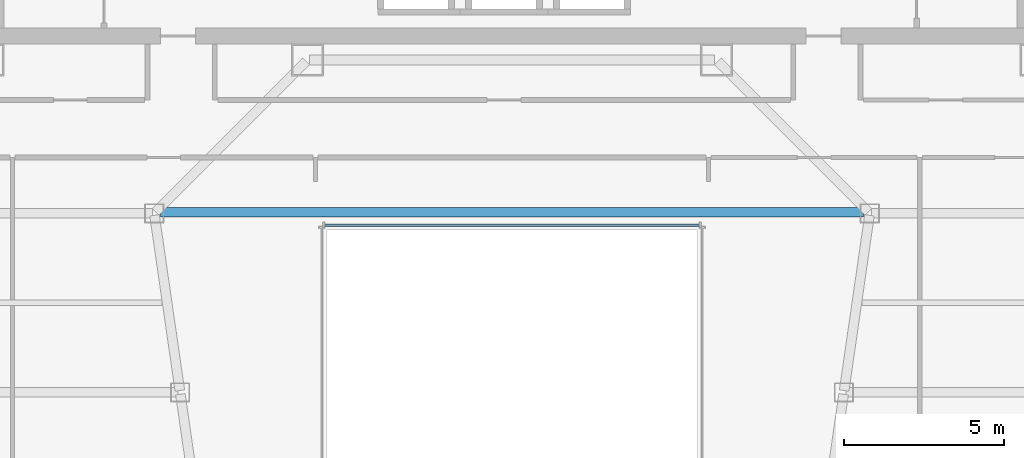
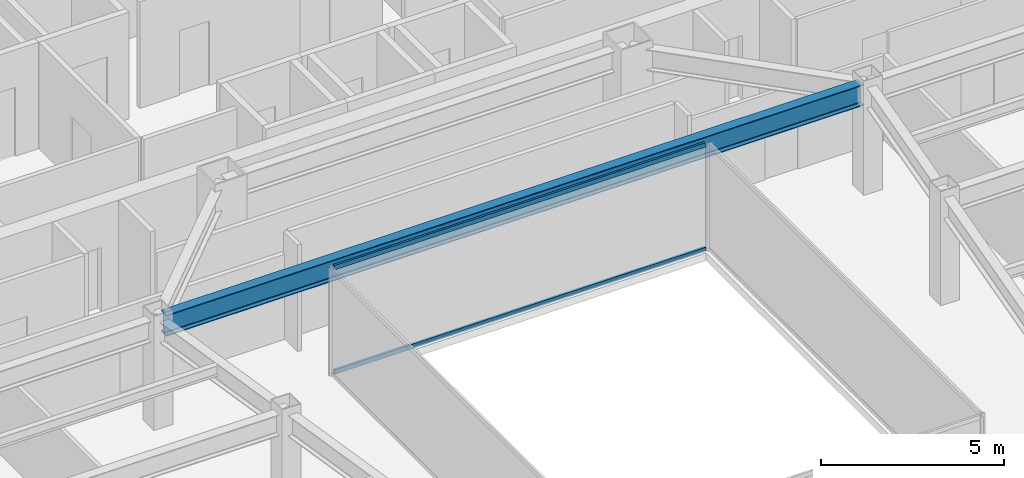
# One storey, part 12 of 36: 2 members, 1 beam, 1 element without a shape of its own.
"""IFC4 building model written with IfcOpenShell, lengths in metres."""

from ifc_helpers import new_model, si_unit, direction, frame, origin, origin_2d, place, context, subcontext, project, spatial, hollow_rectangle, i_section, extrude, material, material_profile, profile_set, type_object, element, aggregate, save


model = new_model("IFC4")

# Units and contexts
model_context = context("Model", 3, precision=1e-05, world=origin(), true_north=direction((0.0, 1.0)))
body_context = subcontext(model_context, "Body", "Model", "MODEL_VIEW")
ifc_project = project(units=[si_unit("LENGTHUNIT", "METRE"), si_unit("AREAUNIT", "SQUARE_METRE"), si_unit("VOLUMEUNIT", "CUBIC_METRE"), si_unit("PLANEANGLEUNIT", "RADIAN"), si_unit("MASSUNIT", "GRAM", prefix="KILO")], contexts=[model_context])

# Site, building, storey
site_placement = place(None, origin())
site = spatial("IfcSite", under=ifc_project, at=site_placement, CompositionType="ELEMENT")
building_placement = place(site_placement, origin())
building = spatial("IfcBuilding", under=site, at=building_placement, Name="Saevonmaru Cultural Tower", CompositionType="ELEMENT")
storey_placement = place(building_placement, frame((0.0, 0.0, 152.39990234375)))
storey = spatial("IfcBuildingStorey", under=building, at=storey_placement, Name="L33", CompositionType="ELEMENT", Elevation=152.39990234375)

# Beam
ifc_material_1 = material(Name="Steel SM355", Category="steel")
ifc_material_profile_1 = material_profile(ifc_material_1, i_section(OverallWidth=0.300048828125, OverallDepth=0.699951171875, WebThickness=0.012939453125, FlangeThickness=0.02392578125, FilletRadius=0.02587890625, at=origin_2d()), Name="H-700x300x13x24")
ifc_profile_set_1 = profile_set([ifc_material_profile_1], Name="Steel SM355")
beam_type = type_object("IfcBeamType", Name="BM-G-H700", PredefinedType="BEAM", material=ifc_profile_set_1)
beam_placement = place(storey_placement, frame((19.005859375, 37.639892578125, 3.2001953125), z_axis=(1.0, 0.0, 0.0), x_axis=(0.0, 1.0, 0.0)))
element("IfcBeam", 1, at=beam_placement, inside=storey, type_object=beam_type, Name="L33 Central Link Girder", PredefinedType="BEAM", context=body_context, shape_type="SweptSolid", body=[
    extrude(i_section(OverallWidth=0.300048828125, OverallDepth=0.699951171875, WebThickness=0.012939453125, FlangeThickness=0.02392578125, FilletRadius=0.02587890625, at=origin_2d()), origin(), (0.0, 0.0, 1.0), 21.98828125),
])

# Curtain wall, members
ifc_material_2 = material(Name="Satin Bronze Anodised Aluminium", Category="aluminium")
curtain_wall_type = type_object("IfcCurtainWallType", Name="CW-ATR-GLZ", PredefinedType="NOTDEFINED", material=ifc_material_2)
curtain_wall_placement = place(storey_placement, origin())
curtain_wall = element("IfcCurtainWall", 2, at=curtain_wall_placement, inside=storey, type_object=curtain_wall_type, Name="L33 Vertical Atrium Glazed Smoke Screen 3", PredefinedType="NOTDEFINED")
ifc_material_profile_2 = material_profile(ifc_material_2, hollow_rectangle(XDim=0.06494140625, YDim=0.14990234375, WallThickness=0.00390625, at=origin_2d()), Name="ALU-TRAN-150x65x4")
ifc_profile_set_2 = profile_set([ifc_material_profile_2], Name="Satin Bronze Anodised Aluminium")
member_type = type_object("IfcMemberType", Name="TR-CW-INT-150x65", PredefinedType="USERDEFINED", material=ifc_profile_set_2)
member_1_placement = place(storey_placement, frame((35.857421875, 37.22998046875, 0.03271484375), z_axis=(-1.0, 0.0, 0.0), x_axis=(0.0, -1.0, 0.0)))
member_1 = element("IfcMember", 3, at=member_1_placement, type_object=member_type, Name="CW-ATR-L33-3 transom 1.1", ObjectType="TRANSOM", PredefinedType="USERDEFINED", context=body_context, shape_type="SweptSolid", body=[
    extrude(hollow_rectangle(XDim=0.06494140625, YDim=0.14990234375, WallThickness=0.00390625, at=origin_2d()), origin(), (0.0, 0.0, 1.0), 11.71484375),
])
member_2_placement = place(storey_placement, frame((35.857421875, 37.22998046875, 3.517578125), z_axis=(-1.0, 0.0, 0.0), x_axis=(0.0, -1.0, 0.0)))
member_2 = element("IfcMember", 4, at=member_2_placement, type_object=member_type, Name="CW-ATR-L33-3 transom 1.2", ObjectType="TRANSOM", PredefinedType="USERDEFINED", context=body_context, shape_type="SweptSolid", body=[
    extrude(hollow_rectangle(XDim=0.06494140625, YDim=0.14990234375, WallThickness=0.00390625, at=origin_2d()), origin(), (0.0, 0.0, 1.0), 11.71484375),
])
aggregate(curtain_wall, [member_1, member_2])

save(model, "model.ifc")
